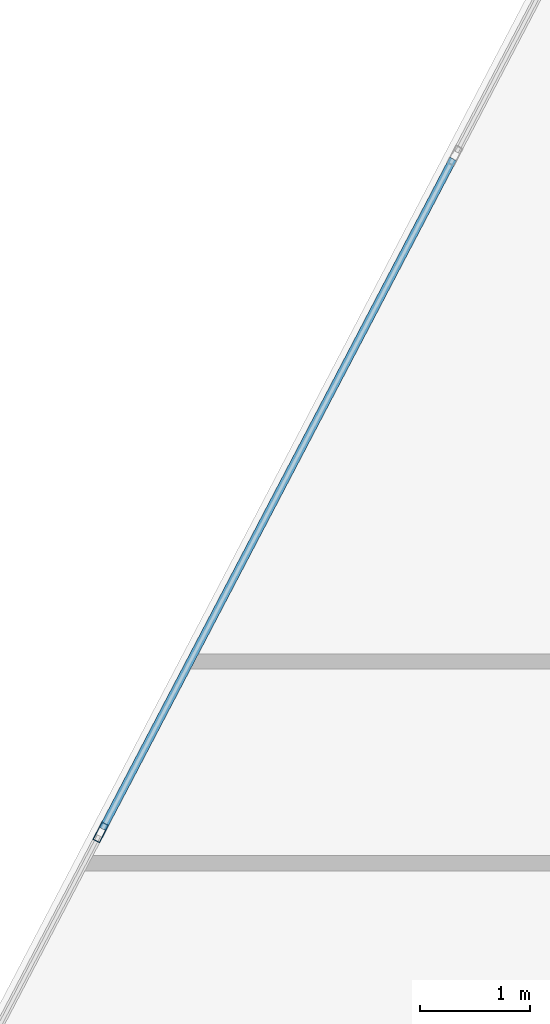
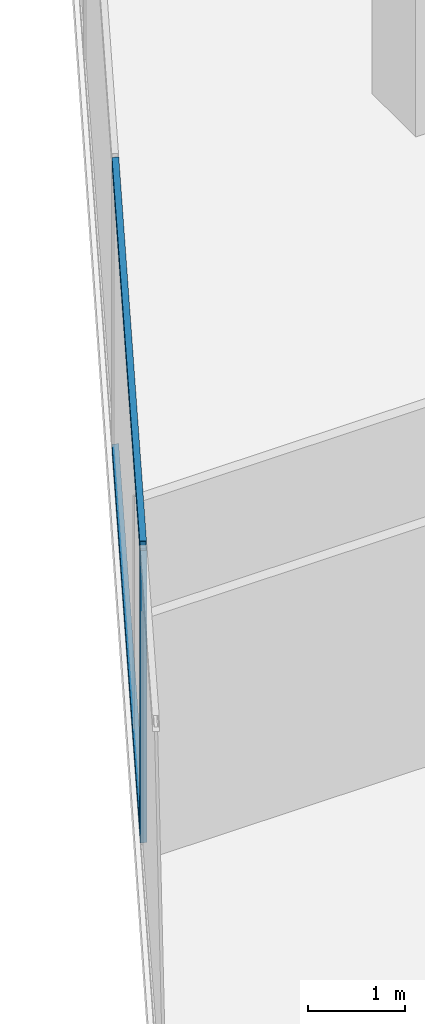
# One storey, part 7 of 27: 3 members, 1 element without a shape of its own.
"""IFC4 building model written with IfcOpenShell, lengths in metres."""

from ifc_helpers import new_model, si_unit, direction, frame, origin, origin_2d, place, context, subcontext, project, spatial, hollow_rectangle, extrude, source, transform, mapped, material, material_profile, profile_set, type_object, type_shapes, element, aggregate, save


model = new_model("IFC4")

# Units and contexts
model_context = context("Model", 3, precision=1e-05, world=origin(), true_north=direction((0.0, 1.0)))
body_context = subcontext(model_context, "Body", "Model", "MODEL_VIEW")
ifc_project = project(units=[si_unit("LENGTHUNIT", "METRE"), si_unit("AREAUNIT", "SQUARE_METRE"), si_unit("VOLUMEUNIT", "CUBIC_METRE"), si_unit("PLANEANGLEUNIT", "RADIAN"), si_unit("MASSUNIT", "GRAM", prefix="KILO")], contexts=[model_context])

# Site, building, storey
site_placement = place(None, origin())
site = spatial("IfcSite", under=ifc_project, at=site_placement, CompositionType="ELEMENT")
building_placement = place(site_placement, origin())
building = spatial("IfcBuilding", under=site, at=building_placement, Name="Krantzveldt Concourse Tower", CompositionType="ELEMENT")
storey_placement = place(building_placement, frame((0.0, 0.0, 158.050048828125)))
storey = spatial("IfcBuildingStorey", under=building, at=storey_placement, Name="L38", CompositionType="ELEMENT", Elevation=158.050048828125)

# Curtain wall, members
ifc_material = material(Name="Anodised aluminium 6063-T6", Category="aluminium")
curtain_wall_type = type_object("IfcCurtainWallType", Name="CW3", PredefinedType="USERDEFINED", material=ifc_material)
curtain_wall_placement = place(storey_placement, origin())
curtain_wall = element("IfcCurtainWall", 1, at=curtain_wall_placement, inside=storey, type_object=curtain_wall_type, Name="CW-L38-F01", ObjectType="UNITISED CURTAIN WALL", PredefinedType="USERDEFINED")
ifc_material_profile_1 = material_profile(ifc_material, hollow_rectangle(XDim=0.070068359375, YDim=0.179931640625, WallThickness=0.0048828125, at=origin_2d()), Name="Anodised aluminium 6063-T6", Category="aluminium")
ifc_profile_set_1 = profile_set([ifc_material_profile_1], Name="Anodised aluminium 6063-T6 - ALU-MULL 180x70x5")
member_type_1 = type_object("IfcMemberType", Name="CW-MUL-180", PredefinedType="MULLION", material=ifc_profile_set_1)
shared_shape_1 = source(origin(), body_context, "Body", "SweptSolid", [
    extrude(hollow_rectangle(XDim=0.070068359375, YDim=0.179931640625, WallThickness=0.0048828125, at=origin_2d()), origin(), (0.0, 0.0, 1.0), 3.669921875),
])
type_shapes(member_type_1, [shared_shape_1])
member_1_placement = place(storey_placement, frame((11.83544921875, 27.56298828125, 0.0), z_axis=(0.0, 0.0, 1.0), x_axis=(0.886001265743, -0.463682819502, 0.0)))
member_1 = element("IfcMember", 2, at=member_1_placement, type_object=member_type_1, Name="CW-Z34 mullion 5", PredefinedType="MULLION", context=body_context, shape_type="MappedRepresentation", body=[
    mapped(shared_shape_1, transform((0.0, 0.0, 0.0), x_axis=(1.0, 0.0, 0.0), y_axis=(0.0, 1.0, 0.0), z_axis=(0.0, 0.0, 1.0), scale=1.0)),
])
ifc_material_profile_2 = material_profile(ifc_material, hollow_rectangle(XDim=0.070068359375, YDim=0.139892578125, WallThickness=0.0048828125, at=origin_2d()), Name="Anodised aluminium 6063-T6", Category="aluminium")
ifc_profile_set_2 = profile_set([ifc_material_profile_2], Name="Anodised aluminium 6063-T6 - ALU-TRAN 140x70x5")
member_type_2 = type_object("IfcMemberType", Name="CW-TRN-150", PredefinedType="USERDEFINED", material=ifc_profile_set_2)
shared_shape_2 = source(origin(), body_context, "Body", "SweptSolid", [
    extrude(hollow_rectangle(XDim=0.070068359375, YDim=0.139892578125, WallThickness=0.0048828125, at=origin_2d()), origin(), (0.0, 0.0, 1.0), 6.89013671875),
])
type_shapes(member_type_2, [shared_shape_2])
member_2_placement = place(storey_placement, frame((15.04638671875, 33.69873046875, 0.034912109375), z_axis=(-0.463649467804, -0.886018719331, 0.0), x_axis=(0.886018719331, -0.463649467804, 0.0)))
member_2 = element("IfcMember", 3, at=member_2_placement, type_object=member_type_2, Name="CW-Z34 transom 4.1", ObjectType="TRANSOM", PredefinedType="USERDEFINED", context=body_context, shape_type="MappedRepresentation", body=[
    mapped(shared_shape_2, transform((0.0, 0.0, 0.0), x_axis=(1.0, 0.0, 0.0), y_axis=(0.0, 1.0, 0.0), z_axis=(0.0, 0.0, 1.0), scale=1.0)),
])
member_3_placement = place(storey_placement, frame((15.04638671875, 33.69873046875, 3.635009765625), z_axis=(-0.463649467804, -0.886018719331, 0.0), x_axis=(0.886018719331, -0.463649467804, 0.0)))
member_3 = element("IfcMember", 4, at=member_3_placement, type_object=member_type_2, Name="CW-Z34 transom 4.2", ObjectType="TRANSOM", PredefinedType="USERDEFINED", context=body_context, shape_type="MappedRepresentation", body=[
    mapped(shared_shape_2, transform((0.0, 0.0, 0.0), x_axis=(1.0, 0.0, 0.0), y_axis=(0.0, 1.0, 0.0), z_axis=(0.0, 0.0, 1.0), scale=1.0)),
])
aggregate(curtain_wall, [member_1, member_2, member_3])

save(model, "model.ifc")
